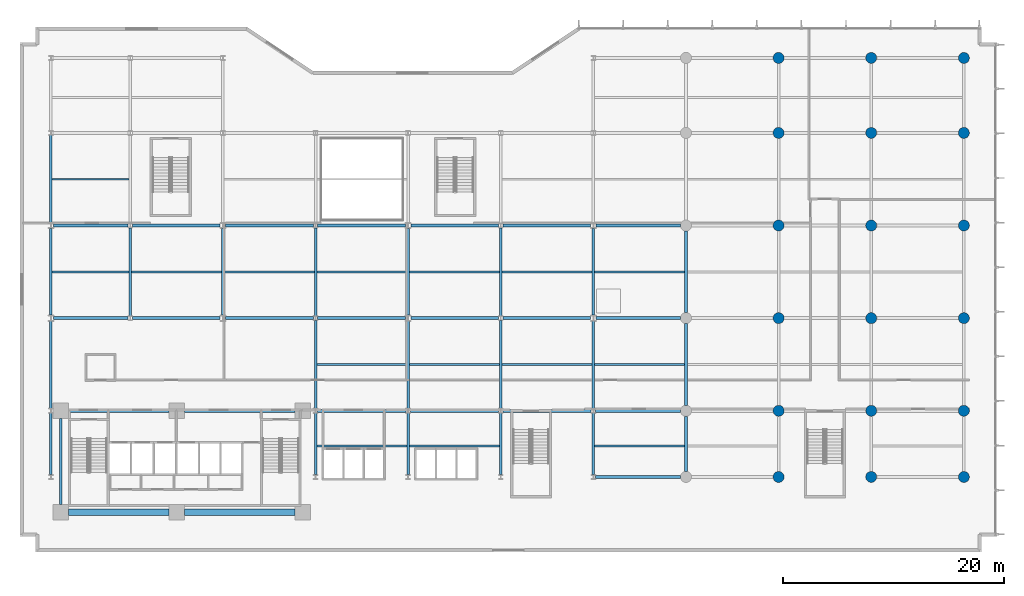
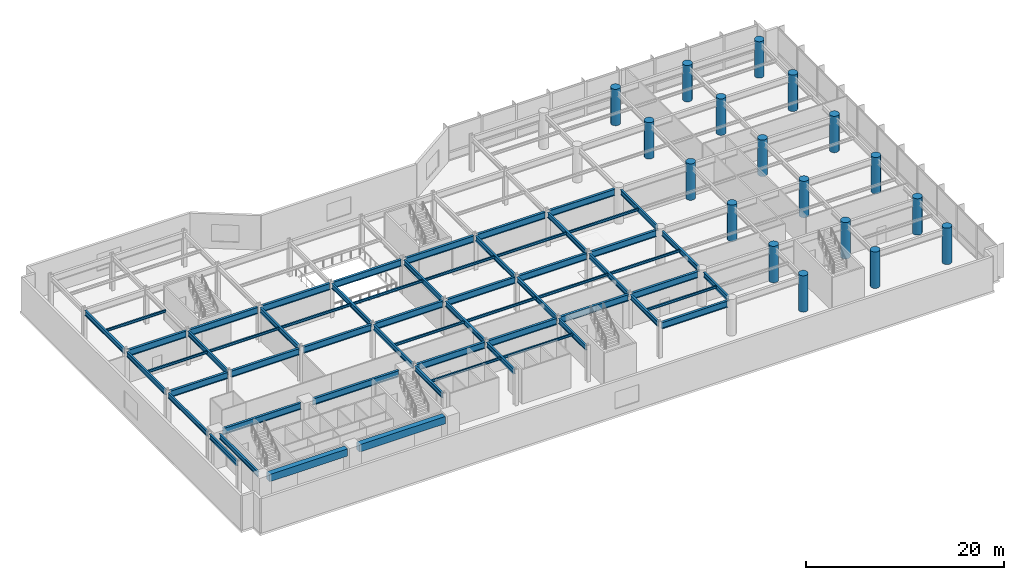
# One storey, part 3 of 26: 60 beams, 18 columns.
"""IFC4 building model written with IfcOpenShell, lengths in metres."""

from ifc_helpers import new_model, si_unit, direction, frame, origin, origin_2d, place, context, subcontext, project, spatial, rectangle, circle, i_section, extrude, material, material_profile, profile_set, type_object, element, save


model = new_model("IFC4")

# Units and contexts
model_context = context("Model", 3, precision=1e-05, world=origin(), true_north=direction((0.0, 1.0)))
body_context = subcontext(model_context, "Body", "Model", "MODEL_VIEW")
ifc_project = project(units=[si_unit("LENGTHUNIT", "METRE"), si_unit("AREAUNIT", "SQUARE_METRE"), si_unit("VOLUMEUNIT", "CUBIC_METRE"), si_unit("PLANEANGLEUNIT", "RADIAN"), si_unit("MASSUNIT", "GRAM", prefix="KILO")], contexts=[model_context])

# Site, building, storey
site_placement = place(None, origin())
site = spatial("IfcSite", under=ifc_project, at=site_placement, CompositionType="ELEMENT")
building_placement = place(site_placement, origin())
building = spatial("IfcBuilding", under=site, at=building_placement, Name="Varnakote Quay Hospital", CompositionType="ELEMENT")
storey_placement = place(building_placement, frame((0.0, 0.0, 4.5)))
storey = spatial("IfcBuildingStorey", under=building, at=storey_placement, Name="L01", CompositionType="ELEMENT", Elevation=4.5)

# Columns
ifc_material_1 = material(Name="Concrete N65 (f'c 65 MPa)", Category="concrete")
ifc_material_profile_1 = material_profile(ifc_material_1, circle(Radius=0.5, at=origin_2d()), Name="RC-COL-D1000")
ifc_profile_set_1 = profile_set([ifc_material_profile_1], Name="Concrete N65 (f'c 65 MPa)")
column_type = type_object("IfcColumnType", Name="COL-RC-D1000", PredefinedType="COLUMN", material=ifc_profile_set_1)
for number, where, z_axis, x_axis, name in (
    (1, (67.199951171875, 6.0, 0.0), (0.0, 0.0, 1.0), (1.0, 0.0, 0.0), "L01 Structural Column C-67-6"),
    (2, (75.60009765625, 6.0, 0.0), (0.0, 0.0, 1.0), (1.0, 0.0, 0.0), "L01 Structural Column C-76-6"),
    (3, (84.0, 6.0, 0.0), (0.0, 0.0, 1.0), (1.0, 0.0, 0.0), "L01 Structural Column C-84-6"),
    (4, (67.199951171875, 12.0, 0.0), (0.0, 0.0, 1.0), (1.0, 0.0, 0.0), "L01 Structural Column C-67-12"),
    (5, (75.60009765625, 12.0, 0.0), (0.0, 0.0, 1.0), (1.0, 0.0, 0.0), "L01 Structural Column C-76-12"),
    (6, (84.0, 12.0, 0.0), (0.0, 0.0, 1.0), (1.0, 0.0, 0.0), "L01 Structural Column C-84-12"),
    (7, (67.199951171875, 20.39990234375, 0.0), (0.0, 0.0, 1.0), (1.0, 0.0, 0.0), "L01 Structural Column C-67-20"),
    (8, (75.60009765625, 20.39990234375, 0.0), (0.0, 0.0, 1.0), (1.0, 0.0, 0.0), "L01 Structural Column C-76-20"),
    (9, (84.0, 20.39990234375, 0.0), (0.0, 0.0, 1.0), (1.0, 0.0, 0.0), "L01 Structural Column C-84-20"),
    (10, (67.199951171875, 28.800048828125, 0.0), (0.0, 0.0, 1.0), (1.0, 0.0, 0.0), "L01 Structural Column C-67-29"),
    (11, (75.60009765625, 28.800048828125, 0.0), (0.0, 0.0, 1.0), (1.0, 0.0, 0.0), "L01 Structural Column C-76-29"),
    (12, (84.0, 28.800048828125, 0.0), (0.0, 0.0, 1.0), (1.0, 0.0, 0.0), "L01 Structural Column C-84-29"),
    (13, (67.199951171875, 37.199951171875, 0.0), (0.0, 0.0, 1.0), (1.0, 0.0, 0.0), "L01 Structural Column C-67-37"),
    (14, (75.60009765625, 37.199951171875, 0.0), (0.0, 0.0, 1.0), (1.0, 0.0, 0.0), "L01 Structural Column C-76-37"),
    (15, (84.0, 37.199951171875, 0.0), (0.0, 0.0, 1.0), (1.0, 0.0, 0.0), "L01 Structural Column C-84-37"),
    (16, (67.199951171875, 44.0, 0.0), (0.0, 0.0, 1.0), (1.0, 0.0, 0.0), "L01 Structural Column C-67-44"),
    (17, (75.60009765625, 44.0, 0.0), (0.0, 0.0, 1.0), (1.0, 0.0, 0.0), "L01 Structural Column C-76-44"),
    (18, (84.0, 44.0, 0.0), (0.0, 0.0, 1.0), (1.0, 0.0, 0.0), "L01 Structural Column C-84-44"),
):
    element("IfcColumn", number, at=place(storey_placement, frame(where, z_axis=z_axis, x_axis=x_axis)), inside=storey, type_object=column_type, Name=name, PredefinedType="COLUMN", context=body_context, shape_type="SweptSolid", body=[
        extrude(circle(Radius=0.5, at=origin_2d()), origin(), (0.0, 0.0, 1.0), 4.5),
    ])

# Beams
ifc_material_2 = material(Name="Concrete N65 (f'c 65 MPa)", Category="concrete")
ifc_material_profile_2 = material_profile(ifc_material_2, rectangle(XDim=0.60009765625, YDim=0.89990234375, at=origin_2d()), Name="RC-BM-600x900")
ifc_profile_set_2 = profile_set([ifc_material_profile_2], Name="Concrete N65 (f'c 65 MPa)")
beam_type_1 = type_object("IfcBeamType", Name="BM-RC-600x900", PredefinedType="BEAM", material=ifc_profile_set_2)
beam_1_placement = place(storey_placement, frame((2.800048828125, 2.800048828125, 3.800048828125), z_axis=(1.0, 0.0, 0.0), x_axis=(0.0, 1.0, 0.0)))
element("IfcBeam", 19, at=beam_1_placement, inside=storey, type_object=beam_type_1, Name="L01 Core Rear Coupling Beam", PredefinedType="BEAM", context=body_context, shape_type="SweptSolid", body=[
    extrude(rectangle(XDim=0.60009765625, YDim=0.89990234375, at=origin_2d()), origin(), (0.0, 0.0, 1.0), 9.119873046875),
])
beam_2_placement = place(storey_placement, frame((13.320068359375, 2.800048828125, 3.800048828125), z_axis=(1.0, 0.0, 0.0), x_axis=(0.0, 1.0, 0.0)))
element("IfcBeam", 20, at=beam_2_placement, inside=storey, type_object=beam_type_1, Name="L01 Core Rear Coupling Beam", PredefinedType="BEAM", context=body_context, shape_type="SweptSolid", body=[
    extrude(rectangle(XDim=0.60009765625, YDim=0.89990234375, at=origin_2d()), origin(), (0.0, 0.0, 1.0), 10.030029296875),
])
ifc_material_3 = material(Name="Structural steel AS/NZS 3679.1 Grade 350 L0 (fy 340 MPa)", Category="steel")
ifc_material_profile_3 = material_profile(ifc_material_3, i_section(OverallWidth=0.22802734375, OverallDepth=0.60205078125, WebThickness=0.010498046875, FlangeThickness=0.014892578125, FilletRadius=0.013916015625, at=origin_2d()), Name="610UB101")
ifc_profile_set_3 = profile_set([ifc_material_profile_3], Name="Structural steel AS/NZS 3679.1 Grade 350 L0 (fy 340 MPa)")
beam_type_2 = type_object("IfcBeamType", Name="BM-STL-610UB101", PredefinedType="BEAM", material=ifc_profile_set_3)
beam_3_placement = place(storey_placement, frame((1.199951171875, 6.2099609375, 3.948974609375), z_axis=(0.0, 1.0, 0.0), x_axis=(-1.0, 0.0, 0.0)))
element("IfcBeam", 21, at=beam_3_placement, inside=storey, type_object=beam_type_2, Name="L01 Primary Tie Beam", PredefinedType="BEAM", context=body_context, shape_type="SweptSolid", body=[
    extrude(i_section(OverallWidth=0.22802734375, OverallDepth=0.60205078125, WebThickness=0.010498046875, FlangeThickness=0.014892578125, FilletRadius=0.013916015625, at=origin_2d()), origin(), (0.0, 0.0, 1.0), 5.580078125),
])
beam_4_placement = place(storey_placement, frame((1.199951171875, 12.2099609375, 3.948974609375), z_axis=(0.0, 1.0, 0.0), x_axis=(-1.0, 0.0, 0.0)))
element("IfcBeam", 22, at=beam_4_placement, inside=storey, type_object=beam_type_2, Name="L01 Primary Tie Beam", PredefinedType="BEAM", context=body_context, shape_type="SweptSolid", body=[
    extrude(i_section(OverallWidth=0.22802734375, OverallDepth=0.60205078125, WebThickness=0.010498046875, FlangeThickness=0.014892578125, FilletRadius=0.013916015625, at=origin_2d()), origin(), (0.0, 0.0, 1.0), 7.925048828125),
])
beam_5_placement = place(storey_placement, frame((1.199951171875, 20.6650390625, 3.948974609375), z_axis=(0.0, 1.0, 0.0), x_axis=(-1.0, 0.0, 0.0)))
element("IfcBeam", 23, at=beam_5_placement, inside=storey, type_object=beam_type_2, Name="L01 Primary Tie Beam", PredefinedType="BEAM", context=body_context, shape_type="SweptSolid", body=[
    extrude(i_section(OverallWidth=0.22802734375, OverallDepth=0.60205078125, WebThickness=0.010498046875, FlangeThickness=0.014892578125, FilletRadius=0.013916015625, at=origin_2d()), origin(), (0.0, 0.0, 1.0), 7.869873046875),
])
beam_6_placement = place(storey_placement, frame((1.199951171875, 29.06494140625, 3.948974609375), z_axis=(0.0, 1.0, 0.0), x_axis=(-1.0, 0.0, 0.0)))
element("IfcBeam", 24, at=beam_6_placement, inside=storey, type_object=beam_type_2, Name="L01 Primary Tie Beam", PredefinedType="BEAM", context=body_context, shape_type="SweptSolid", body=[
    extrude(i_section(OverallWidth=0.22802734375, OverallDepth=0.60205078125, WebThickness=0.010498046875, FlangeThickness=0.014892578125, FilletRadius=0.013916015625, at=origin_2d()), origin(), (0.0, 0.0, 1.0), 7.925048828125),
])
beam_7_placement = place(storey_placement, frame((2.10009765625, 3.5, 3.948974609375), z_axis=(0.0, 1.0, 0.0), x_axis=(-1.0, 0.0, 0.0)))
element("IfcBeam", 25, at=beam_7_placement, inside=storey, type_object=beam_type_2, Name="L01 Primary Tie Beam", PredefinedType="BEAM", context=body_context, shape_type="SweptSolid", body=[
    extrude(i_section(OverallWidth=0.22802734375, OverallDepth=0.60205078125, WebThickness=0.010498046875, FlangeThickness=0.014892578125, FilletRadius=0.013916015625, at=origin_2d()), origin(), (0.0, 0.0, 1.0), 7.800048828125),
])
beam_8_placement = place(storey_placement, frame((8.39990234375, 20.610107421875, 3.948974609375), z_axis=(0.0, 1.0, 0.0), x_axis=(-1.0, 0.0, 0.0)))
element("IfcBeam", 26, at=beam_8_placement, inside=storey, type_object=beam_type_2, Name="L01 Primary Tie Beam", PredefinedType="BEAM", context=body_context, shape_type="SweptSolid", body=[
    extrude(i_section(OverallWidth=0.22802734375, OverallDepth=0.60205078125, WebThickness=0.010498046875, FlangeThickness=0.014892578125, FilletRadius=0.013916015625, at=origin_2d()), origin(), (0.0, 0.0, 1.0), 7.97998046875),
])
beam_9_placement = place(storey_placement, frame((16.800048828125, 20.6650390625, 3.948974609375), z_axis=(0.0, 1.0, 0.0), x_axis=(-1.0, 0.0, 0.0)))
element("IfcBeam", 27, at=beam_9_placement, inside=storey, type_object=beam_type_2, Name="L01 Primary Tie Beam", PredefinedType="BEAM", context=body_context, shape_type="SweptSolid", body=[
    extrude(i_section(OverallWidth=0.22802734375, OverallDepth=0.60205078125, WebThickness=0.010498046875, FlangeThickness=0.014892578125, FilletRadius=0.013916015625, at=origin_2d()), origin(), (0.0, 0.0, 1.0), 7.869873046875),
])
beam_10_placement = place(storey_placement, frame((25.199951171875, 6.2099609375, 3.948974609375), z_axis=(0.0, 1.0, 0.0), x_axis=(-1.0, 0.0, 0.0)))
element("IfcBeam", 28, at=beam_10_placement, inside=storey, type_object=beam_type_2, Name="L01 Primary Tie Beam", PredefinedType="BEAM", context=body_context, shape_type="SweptSolid", body=[
    extrude(i_section(OverallWidth=0.22802734375, OverallDepth=0.60205078125, WebThickness=0.010498046875, FlangeThickness=0.014892578125, FilletRadius=0.013916015625, at=origin_2d()), origin(), (0.0, 0.0, 1.0), 5.580078125),
])
for number, where, z_axis, x_axis, name in (
    (29, (25.199951171875, 12.2099609375, 3.948974609375), (0.0, 1.0, 0.0), (-1.0, 0.0, 0.0), "L01 Primary Tie Beam"),
    (30, (25.199951171875, 20.610107421875, 3.948974609375), (0.0, 1.0, 0.0), (-1.0, 0.0, 0.0), "L01 Primary Tie Beam"),
):
    element("IfcBeam", number, at=place(storey_placement, frame(where, z_axis=z_axis, x_axis=x_axis)), inside=storey, type_object=beam_type_2, Name=name, PredefinedType="BEAM", context=body_context, shape_type="SweptSolid", body=[
        extrude(i_section(OverallWidth=0.22802734375, OverallDepth=0.60205078125, WebThickness=0.010498046875, FlangeThickness=0.014892578125, FilletRadius=0.013916015625, at=origin_2d()), origin(), (0.0, 0.0, 1.0), 7.97998046875),
    ])
beam_11_placement = place(storey_placement, frame((33.60009765625, 6.2099609375, 3.948974609375), z_axis=(0.0, 1.0, 0.0), x_axis=(-1.0, 0.0, 0.0)))
element("IfcBeam", 31, at=beam_11_placement, inside=storey, type_object=beam_type_2, Name="L01 Primary Tie Beam", PredefinedType="BEAM", context=body_context, shape_type="SweptSolid", body=[
    extrude(i_section(OverallWidth=0.22802734375, OverallDepth=0.60205078125, WebThickness=0.010498046875, FlangeThickness=0.014892578125, FilletRadius=0.013916015625, at=origin_2d()), origin(), (0.0, 0.0, 1.0), 5.580078125),
])
beam_12_placement = place(storey_placement, frame((33.60009765625, 12.2099609375, 3.948974609375), z_axis=(0.0, 1.0, 0.0), x_axis=(-1.0, 0.0, 0.0)))
element("IfcBeam", 32, at=beam_12_placement, inside=storey, type_object=beam_type_2, Name="L01 Primary Tie Beam", PredefinedType="BEAM", context=body_context, shape_type="SweptSolid", body=[
    extrude(i_section(OverallWidth=0.22802734375, OverallDepth=0.60205078125, WebThickness=0.010498046875, FlangeThickness=0.014892578125, FilletRadius=0.013916015625, at=origin_2d()), origin(), (0.0, 0.0, 1.0), 7.925048828125),
])
beam_13_placement = place(storey_placement, frame((33.60009765625, 20.6650390625, 3.948974609375), z_axis=(0.0, 1.0, 0.0), x_axis=(-1.0, 0.0, 0.0)))
element("IfcBeam", 33, at=beam_13_placement, inside=storey, type_object=beam_type_2, Name="L01 Primary Tie Beam", PredefinedType="BEAM", context=body_context, shape_type="SweptSolid", body=[
    extrude(i_section(OverallWidth=0.22802734375, OverallDepth=0.60205078125, WebThickness=0.010498046875, FlangeThickness=0.014892578125, FilletRadius=0.013916015625, at=origin_2d()), origin(), (0.0, 0.0, 1.0), 7.869873046875),
])
beam_14_placement = place(storey_placement, frame((42.0, 6.2099609375, 3.948974609375), z_axis=(0.0, 1.0, 0.0), x_axis=(-1.0, 0.0, 0.0)))
element("IfcBeam", 34, at=beam_14_placement, inside=storey, type_object=beam_type_2, Name="L01 Primary Tie Beam", PredefinedType="BEAM", context=body_context, shape_type="SweptSolid", body=[
    extrude(i_section(OverallWidth=0.22802734375, OverallDepth=0.60205078125, WebThickness=0.010498046875, FlangeThickness=0.014892578125, FilletRadius=0.013916015625, at=origin_2d()), origin(), (0.0, 0.0, 1.0), 5.580078125),
])
for number, where, z_axis, x_axis, name in (
    (35, (42.0, 12.2099609375, 3.948974609375), (0.0, 1.0, 0.0), (-1.0, 0.0, 0.0), "L01 Primary Tie Beam"),
    (36, (42.0, 20.610107421875, 3.948974609375), (0.0, 1.0, 0.0), (-1.0, 0.0, 0.0), "L01 Primary Tie Beam"),
):
    element("IfcBeam", number, at=place(storey_placement, frame(where, z_axis=z_axis, x_axis=x_axis)), inside=storey, type_object=beam_type_2, Name=name, PredefinedType="BEAM", context=body_context, shape_type="SweptSolid", body=[
        extrude(i_section(OverallWidth=0.22802734375, OverallDepth=0.60205078125, WebThickness=0.010498046875, FlangeThickness=0.014892578125, FilletRadius=0.013916015625, at=origin_2d()), origin(), (0.0, 0.0, 1.0), 7.97998046875),
    ])
beam_15_placement = place(storey_placement, frame((50.39990234375, 6.2099609375, 3.948974609375), z_axis=(0.0, 1.0, 0.0), x_axis=(-1.0, 0.0, 0.0)))
element("IfcBeam", 37, at=beam_15_placement, inside=storey, type_object=beam_type_2, Name="L01 Primary Tie Beam", PredefinedType="BEAM", context=body_context, shape_type="SweptSolid", body=[
    extrude(i_section(OverallWidth=0.22802734375, OverallDepth=0.60205078125, WebThickness=0.010498046875, FlangeThickness=0.014892578125, FilletRadius=0.013916015625, at=origin_2d()), origin(), (0.0, 0.0, 1.0), 5.580078125),
])
beam_16_placement = place(storey_placement, frame((50.39990234375, 12.2099609375, 3.948974609375), z_axis=(0.0, 1.0, 0.0), x_axis=(-1.0, 0.0, 0.0)))
element("IfcBeam", 38, at=beam_16_placement, inside=storey, type_object=beam_type_2, Name="L01 Primary Tie Beam", PredefinedType="BEAM", context=body_context, shape_type="SweptSolid", body=[
    extrude(i_section(OverallWidth=0.22802734375, OverallDepth=0.60205078125, WebThickness=0.010498046875, FlangeThickness=0.014892578125, FilletRadius=0.013916015625, at=origin_2d()), origin(), (0.0, 0.0, 1.0), 7.925048828125),
])
beam_17_placement = place(storey_placement, frame((50.39990234375, 20.6650390625, 3.948974609375), z_axis=(0.0, 1.0, 0.0), x_axis=(-1.0, 0.0, 0.0)))
element("IfcBeam", 39, at=beam_17_placement, inside=storey, type_object=beam_type_2, Name="L01 Primary Tie Beam", PredefinedType="BEAM", context=body_context, shape_type="SweptSolid", body=[
    extrude(i_section(OverallWidth=0.22802734375, OverallDepth=0.60205078125, WebThickness=0.010498046875, FlangeThickness=0.014892578125, FilletRadius=0.013916015625, at=origin_2d()), origin(), (0.0, 0.0, 1.0), 7.869873046875),
])
beam_18_placement = place(storey_placement, frame((58.800048828125, 6.5, 3.948974609375), z_axis=(0.0, 1.0, 0.0), x_axis=(-1.0, 0.0, 0.0)))
element("IfcBeam", 40, at=beam_18_placement, inside=storey, type_object=beam_type_2, Name="L01 Primary Tie Beam", PredefinedType="BEAM", context=body_context, shape_type="SweptSolid", body=[
    extrude(i_section(OverallWidth=0.22802734375, OverallDepth=0.60205078125, WebThickness=0.010498046875, FlangeThickness=0.014892578125, FilletRadius=0.013916015625, at=origin_2d()), origin(), (0.0, 0.0, 1.0), 5.0),
])
beam_19_placement = place(storey_placement, frame((58.800048828125, 12.5, 3.948974609375), z_axis=(0.0, 1.0, 0.0), x_axis=(-1.0, 0.0, 0.0)))
element("IfcBeam", 41, at=beam_19_placement, inside=storey, type_object=beam_type_2, Name="L01 Primary Tie Beam", PredefinedType="BEAM", context=body_context, shape_type="SweptSolid", body=[
    extrude(i_section(OverallWidth=0.22802734375, OverallDepth=0.60205078125, WebThickness=0.010498046875, FlangeThickness=0.014892578125, FilletRadius=0.013916015625, at=origin_2d()), origin(), (0.0, 0.0, 1.0), 7.39990234375),
])
beam_20_placement = place(storey_placement, frame((58.800048828125, 20.89990234375, 3.948974609375), z_axis=(0.0, 1.0, 0.0), x_axis=(-1.0, 0.0, 0.0)))
element("IfcBeam", 42, at=beam_20_placement, inside=storey, type_object=beam_type_2, Name="L01 Primary Tie Beam", PredefinedType="BEAM", context=body_context, shape_type="SweptSolid", body=[
    extrude(i_section(OverallWidth=0.22802734375, OverallDepth=0.60205078125, WebThickness=0.010498046875, FlangeThickness=0.014892578125, FilletRadius=0.013916015625, at=origin_2d()), origin(), (0.0, 0.0, 1.0), 7.400146484375),
])
ifc_material_4 = material(Name="Structural steel AS/NZS 3678 Grade 350 (fy 340 MPa)", Category="steel")
ifc_material_profile_4 = material_profile(ifc_material_4, i_section(OverallWidth=0.27490234375, OverallDepth=0.800048828125, WebThickness=0.010009765625, FlangeThickness=0.02001953125, at=origin_2d()), Name="800WB146")
ifc_profile_set_4 = profile_set([ifc_material_profile_4], Name="Structural steel AS/NZS 3678 Grade 350 (fy 340 MPa)")
beam_type_3 = type_object("IfcBeamType", Name="BM-STL-800WB146", PredefinedType="BEAM", material=ifc_profile_set_4)
beam_21_placement = place(storey_placement, frame((50.60009765625, 6.0, 3.85009765625), z_axis=(1.0, 0.0, 0.0), x_axis=(0.0, 1.0, 0.0)))
element("IfcBeam", 43, at=beam_21_placement, inside=storey, type_object=beam_type_3, Name="L01 Primary Floor Beam", PredefinedType="BEAM", context=body_context, shape_type="SweptSolid", body=[
    extrude(i_section(OverallWidth=0.27490234375, OverallDepth=0.800048828125, WebThickness=0.010009765625, FlangeThickness=0.02001953125, at=origin_2d()), origin(), (0.0, 0.0, 1.0), 7.699951171875),
])
beam_22_placement = place(storey_placement, frame((2.800048828125, 12.0, 3.85009765625), z_axis=(1.0, 0.0, 0.0), x_axis=(0.0, 1.0, 0.0)))
element("IfcBeam", 44, at=beam_22_placement, inside=storey, type_object=beam_type_3, Name="L01 Primary Floor Beam", PredefinedType="BEAM", context=body_context, shape_type="SweptSolid", body=[
    extrude(i_section(OverallWidth=0.27490234375, OverallDepth=0.800048828125, WebThickness=0.010009765625, FlangeThickness=0.02001953125, at=origin_2d()), origin(), (0.0, 0.0, 1.0), 9.119873046875),
])
beam_23_placement = place(storey_placement, frame((13.320068359375, 12.0, 3.85009765625), z_axis=(1.0, 0.0, 0.0), x_axis=(0.0, 1.0, 0.0)))
element("IfcBeam", 45, at=beam_23_placement, inside=storey, type_object=beam_type_3, Name="L01 Primary Floor Beam", PredefinedType="BEAM", context=body_context, shape_type="SweptSolid", body=[
    extrude(i_section(OverallWidth=0.27490234375, OverallDepth=0.800048828125, WebThickness=0.010009765625, FlangeThickness=0.02001953125, at=origin_2d()), origin(), (0.0, 0.0, 1.0), 10.030029296875),
])
for number, where, z_axis, x_axis, name in (
    (46, (25.39990234375, 12.0, 3.85009765625), (1.0, 0.0, 0.0), (0.0, 1.0, 0.0), "L01 Primary Floor Beam"),
    (47, (33.800048828125, 12.0, 3.85009765625), (1.0, 0.0, 0.0), (0.0, 1.0, 0.0), "L01 Primary Floor Beam"),
    (48, (42.199951171875, 12.0, 3.85009765625), (1.0, 0.0, 0.0), (0.0, 1.0, 0.0), "L01 Primary Floor Beam"),
):
    element("IfcBeam", number, at=place(storey_placement, frame(where, z_axis=z_axis, x_axis=x_axis)), inside=storey, type_object=beam_type_3, Name=name, PredefinedType="BEAM", context=body_context, shape_type="SweptSolid", body=[
        extrude(i_section(OverallWidth=0.27490234375, OverallDepth=0.800048828125, WebThickness=0.010009765625, FlangeThickness=0.02001953125, at=origin_2d()), origin(), (0.0, 0.0, 1.0), 8.0),
    ])
beam_24_placement = place(storey_placement, frame((50.60009765625, 12.0, 3.85009765625), z_axis=(1.0, 0.0, 0.0), x_axis=(0.0, 1.0, 0.0)))
element("IfcBeam", 49, at=beam_24_placement, inside=storey, type_object=beam_type_3, Name="L01 Primary Floor Beam", PredefinedType="BEAM", context=body_context, shape_type="SweptSolid", body=[
    extrude(i_section(OverallWidth=0.27490234375, OverallDepth=0.800048828125, WebThickness=0.010009765625, FlangeThickness=0.02001953125, at=origin_2d()), origin(), (0.0, 0.0, 1.0), 7.699951171875),
])
beam_25_placement = place(storey_placement, frame((1.449951171875, 20.39990234375, 3.85009765625), z_axis=(1.0, 0.0, 0.0), x_axis=(0.0, 1.0, 0.0)))
element("IfcBeam", 50, at=beam_25_placement, inside=storey, type_object=beam_type_3, Name="L01 Primary Floor Beam", PredefinedType="BEAM", context=body_context, shape_type="SweptSolid", body=[
    extrude(i_section(OverallWidth=0.27490234375, OverallDepth=0.800048828125, WebThickness=0.010009765625, FlangeThickness=0.02001953125, at=origin_2d()), origin(), (0.0, 0.0, 1.0), 6.75),
])
for number, where, z_axis, x_axis, name in (
    (51, (8.60009765625, 20.39990234375, 3.85009765625), (1.0, 0.0, 0.0), (0.0, 1.0, 0.0), "L01 Primary Floor Beam"),
    (52, (17.050048828125, 20.39990234375, 3.85009765625), (1.0, 0.0, 0.0), (0.0, 1.0, 0.0), "L01 Primary Floor Beam"),
):
    element("IfcBeam", number, at=place(storey_placement, frame(where, z_axis=z_axis, x_axis=x_axis)), inside=storey, type_object=beam_type_3, Name=name, PredefinedType="BEAM", context=body_context, shape_type="SweptSolid", body=[
        extrude(i_section(OverallWidth=0.27490234375, OverallDepth=0.800048828125, WebThickness=0.010009765625, FlangeThickness=0.02001953125, at=origin_2d()), origin(), (0.0, 0.0, 1.0), 7.949951171875),
    ])
beam_26_placement = place(storey_placement, frame((25.39990234375, 20.39990234375, 3.85009765625), z_axis=(1.0, 0.0, 0.0), x_axis=(0.0, 1.0, 0.0)))
element("IfcBeam", 53, at=beam_26_placement, inside=storey, type_object=beam_type_3, Name="L01 Primary Floor Beam", PredefinedType="BEAM", context=body_context, shape_type="SweptSolid", body=[
    extrude(i_section(OverallWidth=0.27490234375, OverallDepth=0.800048828125, WebThickness=0.010009765625, FlangeThickness=0.02001953125, at=origin_2d()), origin(), (0.0, 0.0, 1.0), 7.9501953125),
])
for number, where, z_axis, x_axis, name in (
    (54, (33.85009765625, 20.39990234375, 3.85009765625), (1.0, 0.0, 0.0), (0.0, 1.0, 0.0), "L01 Primary Floor Beam"),
    (55, (42.199951171875, 20.39990234375, 3.85009765625), (1.0, 0.0, 0.0), (0.0, 1.0, 0.0), "L01 Primary Floor Beam"),
):
    element("IfcBeam", number, at=place(storey_placement, frame(where, z_axis=z_axis, x_axis=x_axis)), inside=storey, type_object=beam_type_3, Name=name, PredefinedType="BEAM", context=body_context, shape_type="SweptSolid", body=[
        extrude(i_section(OverallWidth=0.27490234375, OverallDepth=0.800048828125, WebThickness=0.010009765625, FlangeThickness=0.02001953125, at=origin_2d()), origin(), (0.0, 0.0, 1.0), 7.949951171875),
    ])
beam_27_placement = place(storey_placement, frame((50.64990234375, 20.39990234375, 3.85009765625), z_axis=(1.0, 0.0, 0.0), x_axis=(0.0, 1.0, 0.0)))
element("IfcBeam", 56, at=beam_27_placement, inside=storey, type_object=beam_type_3, Name="L01 Primary Floor Beam", PredefinedType="BEAM", context=body_context, shape_type="SweptSolid", body=[
    extrude(i_section(OverallWidth=0.27490234375, OverallDepth=0.800048828125, WebThickness=0.010009765625, FlangeThickness=0.02001953125, at=origin_2d()), origin(), (0.0, 0.0, 1.0), 7.650146484375),
])
beam_28_placement = place(storey_placement, frame((1.449951171875, 28.800048828125, 3.85009765625), z_axis=(1.0, 0.0, 0.0), x_axis=(0.0, 1.0, 0.0)))
element("IfcBeam", 57, at=beam_28_placement, inside=storey, type_object=beam_type_3, Name="L01 Primary Floor Beam", PredefinedType="BEAM", context=body_context, shape_type="SweptSolid", body=[
    extrude(i_section(OverallWidth=0.27490234375, OverallDepth=0.800048828125, WebThickness=0.010009765625, FlangeThickness=0.02001953125, at=origin_2d()), origin(), (0.0, 0.0, 1.0), 6.75),
])
for number, where, z_axis, x_axis, name in (
    (58, (8.60009765625, 28.800048828125, 3.85009765625), (1.0, 0.0, 0.0), (0.0, 1.0, 0.0), "L01 Primary Floor Beam"),
    (59, (17.050048828125, 28.800048828125, 3.85009765625), (1.0, 0.0, 0.0), (0.0, 1.0, 0.0), "L01 Primary Floor Beam"),
):
    element("IfcBeam", number, at=place(storey_placement, frame(where, z_axis=z_axis, x_axis=x_axis)), inside=storey, type_object=beam_type_3, Name=name, PredefinedType="BEAM", context=body_context, shape_type="SweptSolid", body=[
        extrude(i_section(OverallWidth=0.27490234375, OverallDepth=0.800048828125, WebThickness=0.010009765625, FlangeThickness=0.02001953125, at=origin_2d()), origin(), (0.0, 0.0, 1.0), 7.949951171875),
    ])
beam_29_placement = place(storey_placement, frame((25.39990234375, 28.800048828125, 3.85009765625), z_axis=(1.0, 0.0, 0.0), x_axis=(0.0, 1.0, 0.0)))
element("IfcBeam", 60, at=beam_29_placement, inside=storey, type_object=beam_type_3, Name="L01 Primary Floor Beam", PredefinedType="BEAM", context=body_context, shape_type="SweptSolid", body=[
    extrude(i_section(OverallWidth=0.27490234375, OverallDepth=0.800048828125, WebThickness=0.010009765625, FlangeThickness=0.02001953125, at=origin_2d()), origin(), (0.0, 0.0, 1.0), 7.9501953125),
])
for number, where, z_axis, x_axis, name in (
    (61, (33.85009765625, 28.800048828125, 3.85009765625), (1.0, 0.0, 0.0), (0.0, 1.0, 0.0), "L01 Primary Floor Beam"),
    (62, (42.199951171875, 28.800048828125, 3.85009765625), (1.0, 0.0, 0.0), (0.0, 1.0, 0.0), "L01 Primary Floor Beam"),
):
    element("IfcBeam", number, at=place(storey_placement, frame(where, z_axis=z_axis, x_axis=x_axis)), inside=storey, type_object=beam_type_3, Name=name, PredefinedType="BEAM", context=body_context, shape_type="SweptSolid", body=[
        extrude(i_section(OverallWidth=0.27490234375, OverallDepth=0.800048828125, WebThickness=0.010009765625, FlangeThickness=0.02001953125, at=origin_2d()), origin(), (0.0, 0.0, 1.0), 7.949951171875),
    ])
beam_30_placement = place(storey_placement, frame((50.64990234375, 28.800048828125, 3.85009765625), z_axis=(1.0, 0.0, 0.0), x_axis=(0.0, 1.0, 0.0)))
element("IfcBeam", 63, at=beam_30_placement, inside=storey, type_object=beam_type_3, Name="L01 Primary Floor Beam", PredefinedType="BEAM", context=body_context, shape_type="SweptSolid", body=[
    extrude(i_section(OverallWidth=0.27490234375, OverallDepth=0.800048828125, WebThickness=0.010009765625, FlangeThickness=0.02001953125, at=origin_2d()), origin(), (0.0, 0.0, 1.0), 7.650146484375),
])
ifc_material_5 = material(Name="Structural steel AS/NZS 3679.1 Grade 350 L0 (fy 340 MPa)", Category="steel")
ifc_material_profile_5 = material_profile(ifc_material_5, i_section(OverallWidth=0.166015625, OverallDepth=0.306884765625, WebThickness=0.006591796875, FlangeThickness=0.01171875, FilletRadius=0.011474609375, at=origin_2d()), Name="310UB46.2")
ifc_profile_set_5 = profile_set([ifc_material_profile_5], Name="Structural steel AS/NZS 3679.1 Grade 350 L0 (fy 340 MPa)")
beam_type_4 = type_object("IfcBeamType", Name="JST-STL-310UB46-2", PredefinedType="JOIST", material=ifc_profile_set_5)
beam_31_placement = place(storey_placement, frame((25.31396484375, 8.800048828125, 4.096435546875), z_axis=(1.0, 0.0, 0.0), x_axis=(0.0, 1.0, 0.0)))
element("IfcBeam", 64, at=beam_31_placement, inside=storey, type_object=beam_type_4, Name="L01 Composite Floor Joist", PredefinedType="JOIST", context=body_context, shape_type="SweptSolid", body=[
    extrude(i_section(OverallWidth=0.166015625, OverallDepth=0.306884765625, WebThickness=0.006591796875, FlangeThickness=0.01171875, FilletRadius=0.011474609375, at=origin_2d()), origin(), (0.0, 0.0, 1.0), 8.172119140625),
])
beam_32_placement = place(storey_placement, frame((33.714111328125, 8.800048828125, 4.096435546875), z_axis=(1.0, 0.0, 0.0), x_axis=(0.0, 1.0, 0.0)))
element("IfcBeam", 65, at=beam_32_placement, inside=storey, type_object=beam_type_4, Name="L01 Composite Floor Joist", PredefinedType="JOIST", context=body_context, shape_type="SweptSolid", body=[
    extrude(i_section(OverallWidth=0.166015625, OverallDepth=0.306884765625, WebThickness=0.006591796875, FlangeThickness=0.01171875, FilletRadius=0.011474609375, at=origin_2d()), origin(), (0.0, 0.0, 1.0), 8.171875),
])
for number, where, z_axis, x_axis, name in (
    (66, (50.513916015625, 8.800048828125, 4.096435546875), (1.0, 0.0, 0.0), (0.0, 1.0, 0.0), "L01 Composite Floor Joist"),
    (67, (25.31396484375, 16.199951171875, 4.096435546875), (1.0, 0.0, 0.0), (0.0, 1.0, 0.0), "L01 Composite Floor Joist"),
):
    element("IfcBeam", number, at=place(storey_placement, frame(where, z_axis=z_axis, x_axis=x_axis)), inside=storey, type_object=beam_type_4, Name=name, PredefinedType="JOIST", context=body_context, shape_type="SweptSolid", body=[
        extrude(i_section(OverallWidth=0.166015625, OverallDepth=0.306884765625, WebThickness=0.006591796875, FlangeThickness=0.01171875, FilletRadius=0.011474609375, at=origin_2d()), origin(), (0.0, 0.0, 1.0), 8.172119140625),
    ])
for number, where, z_axis, x_axis, name in (
    (68, (33.714111328125, 16.199951171875, 4.096435546875), (1.0, 0.0, 0.0), (0.0, 1.0, 0.0), "L01 Composite Floor Joist"),
    (69, (42.114013671875, 16.199951171875, 4.096435546875), (1.0, 0.0, 0.0), (0.0, 1.0, 0.0), "L01 Composite Floor Joist"),
):
    element("IfcBeam", number, at=place(storey_placement, frame(where, z_axis=z_axis, x_axis=x_axis)), inside=storey, type_object=beam_type_4, Name=name, PredefinedType="JOIST", context=body_context, shape_type="SweptSolid", body=[
        extrude(i_section(OverallWidth=0.166015625, OverallDepth=0.306884765625, WebThickness=0.006591796875, FlangeThickness=0.01171875, FilletRadius=0.011474609375, at=origin_2d()), origin(), (0.0, 0.0, 1.0), 8.171875),
    ])
beam_33_placement = place(storey_placement, frame((50.513916015625, 16.199951171875, 4.096435546875), z_axis=(1.0, 0.0, 0.0), x_axis=(0.0, 1.0, 0.0)))
element("IfcBeam", 70, at=beam_33_placement, inside=storey, type_object=beam_type_4, Name="L01 Composite Floor Joist", PredefinedType="JOIST", context=body_context, shape_type="SweptSolid", body=[
    extrude(i_section(OverallWidth=0.166015625, OverallDepth=0.306884765625, WebThickness=0.006591796875, FlangeThickness=0.01171875, FilletRadius=0.011474609375, at=origin_2d()), origin(), (0.0, 0.0, 1.0), 8.172119140625),
])
beam_34_placement = place(storey_placement, frame((1.31396484375, 24.60009765625, 4.096435546875), z_axis=(1.0, 0.0, 0.0), x_axis=(0.0, 1.0, 0.0)))
element("IfcBeam", 71, at=beam_34_placement, inside=storey, type_object=beam_type_4, Name="L01 Composite Floor Joist", PredefinedType="JOIST", context=body_context, shape_type="SweptSolid", body=[
    extrude(i_section(OverallWidth=0.166015625, OverallDepth=0.306884765625, WebThickness=0.006591796875, FlangeThickness=0.01171875, FilletRadius=0.011474609375, at=origin_2d()), origin(), (0.0, 0.0, 1.0), 6.971923828125),
])
beam_35_placement = place(storey_placement, frame((8.513916015625, 24.60009765625, 4.096435546875), z_axis=(1.0, 0.0, 0.0), x_axis=(0.0, 1.0, 0.0)))
element("IfcBeam", 72, at=beam_35_placement, inside=storey, type_object=beam_type_4, Name="L01 Composite Floor Joist", PredefinedType="JOIST", context=body_context, shape_type="SweptSolid", body=[
    extrude(i_section(OverallWidth=0.166015625, OverallDepth=0.306884765625, WebThickness=0.006591796875, FlangeThickness=0.01171875, FilletRadius=0.011474609375, at=origin_2d()), origin(), (0.0, 0.0, 1.0), 8.172119140625),
])
beam_36_placement = place(storey_placement, frame((16.9140625, 24.60009765625, 4.096435546875), z_axis=(1.0, 0.0, 0.0), x_axis=(0.0, 1.0, 0.0)))
element("IfcBeam", 73, at=beam_36_placement, inside=storey, type_object=beam_type_4, Name="L01 Composite Floor Joist", PredefinedType="JOIST", context=body_context, shape_type="SweptSolid", body=[
    extrude(i_section(OverallWidth=0.166015625, OverallDepth=0.306884765625, WebThickness=0.006591796875, FlangeThickness=0.01171875, FilletRadius=0.011474609375, at=origin_2d()), origin(), (0.0, 0.0, 1.0), 8.171875),
])
beam_37_placement = place(storey_placement, frame((25.31396484375, 24.60009765625, 4.096435546875), z_axis=(1.0, 0.0, 0.0), x_axis=(0.0, 1.0, 0.0)))
element("IfcBeam", 74, at=beam_37_placement, inside=storey, type_object=beam_type_4, Name="L01 Composite Floor Joist", PredefinedType="JOIST", context=body_context, shape_type="SweptSolid", body=[
    extrude(i_section(OverallWidth=0.166015625, OverallDepth=0.306884765625, WebThickness=0.006591796875, FlangeThickness=0.01171875, FilletRadius=0.011474609375, at=origin_2d()), origin(), (0.0, 0.0, 1.0), 8.172119140625),
])
for number, where, z_axis, x_axis, name in (
    (75, (33.714111328125, 24.60009765625, 4.096435546875), (1.0, 0.0, 0.0), (0.0, 1.0, 0.0), "L01 Composite Floor Joist"),
    (76, (42.114013671875, 24.60009765625, 4.096435546875), (1.0, 0.0, 0.0), (0.0, 1.0, 0.0), "L01 Composite Floor Joist"),
):
    element("IfcBeam", number, at=place(storey_placement, frame(where, z_axis=z_axis, x_axis=x_axis)), inside=storey, type_object=beam_type_4, Name=name, PredefinedType="JOIST", context=body_context, shape_type="SweptSolid", body=[
        extrude(i_section(OverallWidth=0.166015625, OverallDepth=0.306884765625, WebThickness=0.006591796875, FlangeThickness=0.01171875, FilletRadius=0.011474609375, at=origin_2d()), origin(), (0.0, 0.0, 1.0), 8.171875),
    ])
beam_38_placement = place(storey_placement, frame((50.513916015625, 24.60009765625, 4.096435546875), z_axis=(1.0, 0.0, 0.0), x_axis=(0.0, 1.0, 0.0)))
element("IfcBeam", 77, at=beam_38_placement, inside=storey, type_object=beam_type_4, Name="L01 Composite Floor Joist", PredefinedType="JOIST", context=body_context, shape_type="SweptSolid", body=[
    extrude(i_section(OverallWidth=0.166015625, OverallDepth=0.306884765625, WebThickness=0.006591796875, FlangeThickness=0.01171875, FilletRadius=0.011474609375, at=origin_2d()), origin(), (0.0, 0.0, 1.0), 8.172119140625),
])
beam_39_placement = place(storey_placement, frame((1.31396484375, 33.0, 4.096435546875), z_axis=(1.0, 0.0, 0.0), x_axis=(0.0, 1.0, 0.0)))
element("IfcBeam", 78, at=beam_39_placement, inside=storey, type_object=beam_type_4, Name="L01 Composite Floor Joist", PredefinedType="JOIST", context=body_context, shape_type="SweptSolid", body=[
    extrude(i_section(OverallWidth=0.166015625, OverallDepth=0.306884765625, WebThickness=0.006591796875, FlangeThickness=0.01171875, FilletRadius=0.011474609375, at=origin_2d()), origin(), (0.0, 0.0, 1.0), 6.971923828125),
])

save(model, "model.ifc")
